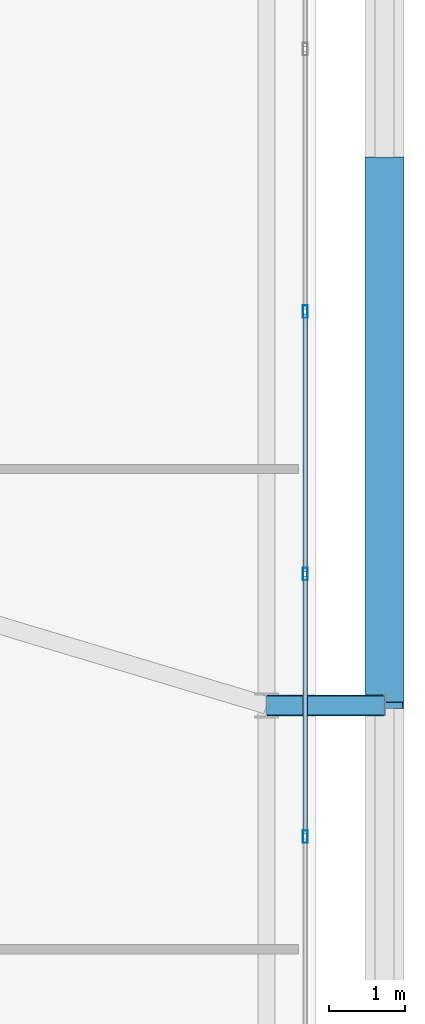
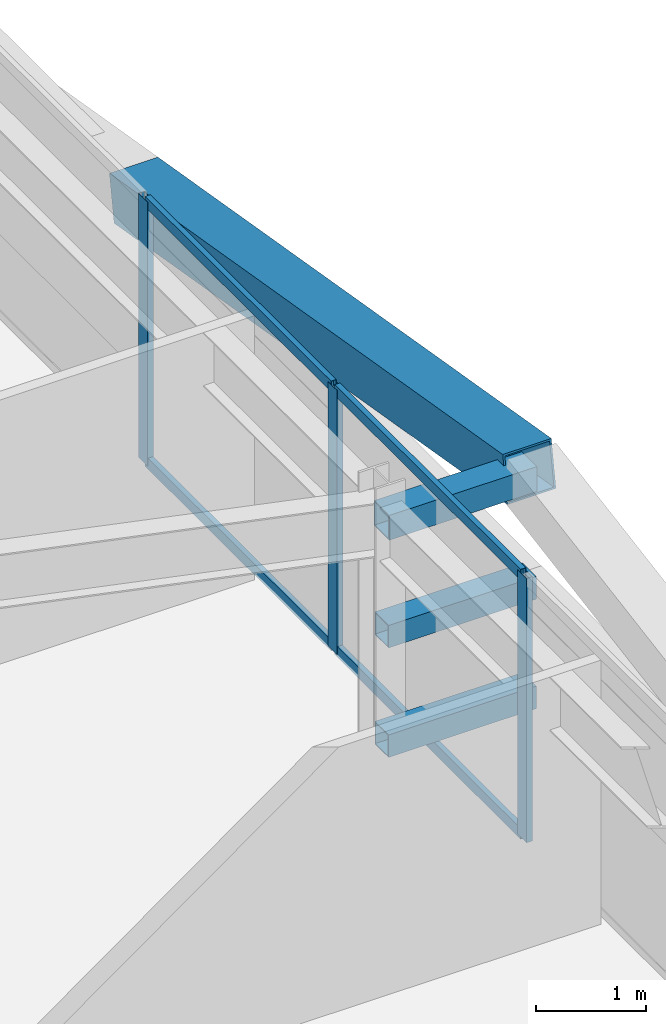
# One storey, part 30 of 59: 11 members, 1 element without a shape of its own.
"""IFC4 building model written with IfcOpenShell, lengths in metres."""

from ifc_helpers import new_model, si_unit, direction, frame, origin, origin_2d, place, context, subcontext, project, spatial, hollow_rectangle, extrude, source, transform, mapped, material, layer, layer_set, material_profile, profile_set, type_object, element, aggregate, save


model = new_model("IFC4")

# Units and contexts
model_context = context("Model", 3, precision=1e-05, world=origin(), true_north=direction((0.0, 1.0)))
body_context = subcontext(model_context, "Body", "Model", "MODEL_VIEW")
ifc_project = project(units=[si_unit("LENGTHUNIT", "METRE"), si_unit("AREAUNIT", "SQUARE_METRE"), si_unit("VOLUMEUNIT", "CUBIC_METRE"), si_unit("PLANEANGLEUNIT", "RADIAN"), si_unit("MASSUNIT", "GRAM", prefix="KILO")], contexts=[model_context])

# Site, building, storey
site_placement = place(None, origin())
site = spatial("IfcSite", under=ifc_project, at=site_placement, CompositionType="ELEMENT")
building_placement = place(site_placement, origin())
building = spatial("IfcBuilding", under=site, at=building_placement, Name="Taldren Reach Tower", CompositionType="ELEMENT")
storey_placement = place(building_placement, frame((0.0, 0.0, 48.300048828125)))
storey = spatial("IfcBuildingStorey", under=building, at=storey_placement, Name="L14", CompositionType="ELEMENT", Elevation=48.300048828125)

# Members
ifc_material_1 = material(Name="Steel Gr 450 (C450L0)", Category="steel")
ifc_material_profile_1 = material_profile(ifc_material_1, hollow_rectangle(XDim=0.27490234375, YDim=0.27490234375, WallThickness=0.00927734375, at=origin_2d()), Name="275x275x9.3SHS")
ifc_profile_set_1 = profile_set([ifc_material_profile_1], Name="Steel Gr 450 (C450L0)")
member_type_1 = type_object("IfcMemberType", Name="MB-TIE273", PredefinedType="STRUT", material=ifc_profile_set_1)
shared_shape_1 = source(origin(), body_context, "Body", "SweptSolid", [
    extrude(hollow_rectangle(XDim=0.27490234375, YDim=0.27490234375, WallThickness=0.00927734375, at=origin_2d()), origin(), (0.0, 0.0, 1.0), 1.5498046875),
])
member_1_placement = place(storey_placement, frame((64.35009765625, 20.0, 2.64990234375), z_axis=(1.0, 0.0, 0.0), x_axis=(0.0, 1.0, 0.0)))
element("IfcMember", 1, at=member_1_placement, inside=storey, type_object=member_type_1, Name="Exoskeleton diaphragm tie strut B1-E2 L14", PredefinedType="STRUT", context=body_context, shape_type="MappedRepresentation", body=[
    mapped(shared_shape_1, transform((0.0, 0.0, 0.0), scale=1.0)),
])
ifc_material_2 = material(Name="Steel Gr 350 (C350L0)", Category="steel")
ifc_material_profile_2 = material_profile(ifc_material_2, hollow_rectangle(XDim=0.25, YDim=0.25, WallThickness=0.010009765625, at=origin_2d()), Name="250x250x10.0SHS")
ifc_profile_set_2 = profile_set([ifc_material_profile_2], Name="Steel Gr 350 (C350L0)")
member_type_2 = type_object("IfcMemberType", Name="MB-POST250", PredefinedType="POST", material=ifc_profile_set_2)
shared_shape_2 = source(origin(), body_context, "Body", "SweptSolid", [
    extrude(hollow_rectangle(XDim=0.25, YDim=0.25, WallThickness=0.010009765625, at=origin_2d()), origin(), (0.0, 0.0, 1.0), 1.5498046875),
])
for number, where, z_axis, x_axis, name in (
    (2, (64.35009765625, 20.0, 0.219970703125), (1.0, 0.0, 0.0), (0.0, 1.0, 0.0), "Exoskeleton base diaphragm tie strut B1-E2 L14"),
    (3, (64.35009765625, 20.0, 1.43505859375), (1.0, 0.0, 0.0), (0.0, 1.0, 0.0), "Exoskeleton mid-tier diaphragm tie B1-E2 L14"),
):
    element("IfcMember", number, at=place(storey_placement, frame(where, z_axis=z_axis, x_axis=x_axis)), inside=storey, type_object=member_type_2, Name=name, PredefinedType="POST", context=body_context, shape_type="MappedRepresentation", body=[
        mapped(shared_shape_2, transform((0.0, 0.0, 0.0), scale=1.0)),
    ])
ifc_material_profile_3 = material_profile(ifc_material_1, hollow_rectangle(XDim=0.510009765625, YDim=0.510009765625, WallThickness=0.02001953125, at=origin_2d()), Name="510x510x20.0SHS")
ifc_profile_set_3 = profile_set([ifc_material_profile_3], Name="Steel Gr 450 (C450L0)")
member_type_3 = type_object("IfcMemberType", Name="MB-EXO508", PredefinedType="BRACE", material=ifc_profile_set_3)
shared_shape_3 = source(origin(), body_context, "Body", "SweptSolid", [
    extrude(hollow_rectangle(XDim=0.510009765625, YDim=0.510009765625, WallThickness=0.02001953125, at=origin_2d()), origin(), (0.0, 0.0, 1.0), 7.25244140625),
])
member_2_placement = place(storey_placement, frame((65.89990234375, 27.14990234375, 1.43505859375), z_axis=(0.0, -0.985870415536, 0.167509772168), x_axis=(1.0, 0.0, 0.0)))
element("IfcMember", 4, at=member_2_placement, inside=storey, type_object=member_type_3, Name="Exoskeleton Diagrid Brace B1-E2 L14", PredefinedType="BRACE", context=body_context, shape_type="MappedRepresentation", body=[
    mapped(shared_shape_3, transform((0.0, 0.0, 0.0), scale=1.0)),
])

# Curtain wall, members
ifc_material_3 = material(Name="Aluminium and Low-E Glass Unitised System", Category="aluminium")
ifc_layer = layer(ifc_material_3, 0.159912109375)
ifc_layer_set = layer_set([ifc_layer], Name="Aluminium and Low-E Glass Unitised System")
curtain_wall_type = type_object("IfcCurtainWallType", Name="CW-SYS-2", PredefinedType="NOTDEFINED", material=ifc_layer_set)
curtain_wall_placement = place(storey_placement, origin())
curtain_wall = element("IfcCurtainWall", 5, at=curtain_wall_placement, inside=storey, type_object=curtain_wall_type, Name="Unitised curtain wall CW-L14-E", PredefinedType="NOTDEFINED")
ifc_material_4 = material(Name="Anodised Aluminium 6063-T6", Category="aluminium")
ifc_material_profile_4 = material_profile(ifc_material_4, hollow_rectangle(XDim=0.06494140625, YDim=0.1650390625, WallThickness=0.00390625, at=origin_2d()), Name="ALU-165x65x4RHS")
ifc_profile_set_4 = profile_set([ifc_material_profile_4], Name="Anodised Aluminium 6063-T6")
member_type_4 = type_object("IfcMemberType", Name="CW-MUL-165", PredefinedType="MULLION", material=ifc_profile_set_4)
shared_shape_4 = source(origin(), body_context, "Body", "SweptSolid", [
    extrude(hollow_rectangle(XDim=0.06494140625, YDim=0.1650390625, WallThickness=0.00390625, at=origin_2d()), origin(), (0.0, 0.0, 1.0), 2.929931640625),
])
member_3_placement = place(storey_placement, frame((64.860107421875, 18.27783203125, 0.0), z_axis=(0.0, 0.0, 1.0), x_axis=(-1.0, 0.0, 0.0)))
member_3 = element("IfcMember", 6, at=member_3_placement, type_object=member_type_4, Name="CW-2 mullion 5", PredefinedType="MULLION", context=body_context, shape_type="MappedRepresentation", body=[
    mapped(shared_shape_4, transform((0.0, 0.0, 0.0), scale=1.0)),
])
member_4_placement = place(storey_placement, frame((64.860107421875, 21.72216796875, 0.0), z_axis=(0.0, 0.0, 1.0), x_axis=(-1.0, 0.0, 0.0)))
member_4 = element("IfcMember", 7, at=member_4_placement, type_object=member_type_4, Name="CW-2 mullion 6", PredefinedType="MULLION", context=body_context, shape_type="MappedRepresentation", body=[
    mapped(shared_shape_4, transform((0.0, 0.0, 0.0), scale=1.0)),
])
member_5_placement = place(storey_placement, frame((64.860107421875, 25.166748046875, 0.0), z_axis=(0.0, 0.0, 1.0), x_axis=(-1.0, 0.0, 0.0)))
member_5 = element("IfcMember", 8, at=member_5_placement, type_object=member_type_4, Name="CW-2 mullion 7", PredefinedType="MULLION", context=body_context, shape_type="MappedRepresentation", body=[
    mapped(shared_shape_4, transform((0.0, 0.0, 0.0), scale=1.0)),
])
ifc_material_profile_5 = material_profile(ifc_material_4, hollow_rectangle(XDim=0.054931640625, YDim=0.1201171875, WallThickness=0.0029296875, at=origin_2d()), Name="ALU-120x55x3RHS")
ifc_profile_set_5 = profile_set([ifc_material_profile_5], Name="Anodised Aluminium 6063-T6")
member_type_5 = type_object("IfcMemberType", Name="CW-TRN-135", PredefinedType="USERDEFINED", material=ifc_profile_set_5)
shared_shape_5 = source(origin(), body_context, "Body", "SweptSolid", [
    extrude(hollow_rectangle(XDim=0.054931640625, YDim=0.1201171875, WallThickness=0.0029296875, at=origin_2d()), origin(), (0.0, 0.0, 1.0), 3.37939453125),
])
member_6_placement = place(storey_placement, frame((64.860107421875, 18.310302734375, 0.02734375), z_axis=(0.0, 1.0, 0.0), x_axis=(-1.0, 0.0, 0.0)))
member_6 = element("IfcMember", 9, at=member_6_placement, type_object=member_type_5, Name="CW-2 transom 5.1", ObjectType="TRANSOM", PredefinedType="USERDEFINED", context=body_context, shape_type="MappedRepresentation", body=[
    mapped(shared_shape_5, transform((0.0, 0.0, 0.0), scale=1.0)),
])
member_7_placement = place(storey_placement, frame((64.860107421875, 18.310302734375, 2.90234375), z_axis=(0.0, 1.0, 0.0), x_axis=(-1.0, 0.0, 0.0)))
member_7 = element("IfcMember", 10, at=member_7_placement, type_object=member_type_5, Name="CW-2 transom 5.2", ObjectType="TRANSOM", PredefinedType="USERDEFINED", context=body_context, shape_type="MappedRepresentation", body=[
    mapped(shared_shape_5, transform((0.0, 0.0, 0.0), scale=1.0)),
])
shared_shape_6 = source(origin(), body_context, "Body", "SweptSolid", [
    extrude(hollow_rectangle(XDim=0.054931640625, YDim=0.1201171875, WallThickness=0.0029296875, at=origin_2d()), origin(), (0.0, 0.0, 1.0), 3.379638671875),
])
member_8_placement = place(storey_placement, frame((64.860107421875, 21.754638671875, 0.02734375), z_axis=(0.0, 1.0, 0.0), x_axis=(-1.0, 0.0, 0.0)))
member_8 = element("IfcMember", 11, at=member_8_placement, type_object=member_type_5, Name="CW-2 transom 6.1", ObjectType="TRANSOM", PredefinedType="USERDEFINED", context=body_context, shape_type="MappedRepresentation", body=[
    mapped(shared_shape_6, transform((0.0, 0.0, 0.0), scale=1.0)),
])
member_9_placement = place(storey_placement, frame((64.860107421875, 21.754638671875, 2.90234375), z_axis=(0.0, 1.0, 0.0), x_axis=(-1.0, 0.0, 0.0)))
member_9 = element("IfcMember", 12, at=member_9_placement, type_object=member_type_5, Name="CW-2 transom 6.2", ObjectType="TRANSOM", PredefinedType="USERDEFINED", context=body_context, shape_type="MappedRepresentation", body=[
    mapped(shared_shape_6, transform((0.0, 0.0, 0.0), scale=1.0)),
])
aggregate(curtain_wall, [member_3, member_4, member_5, member_6, member_7, member_8, member_9])

save(model, "model.ifc")
